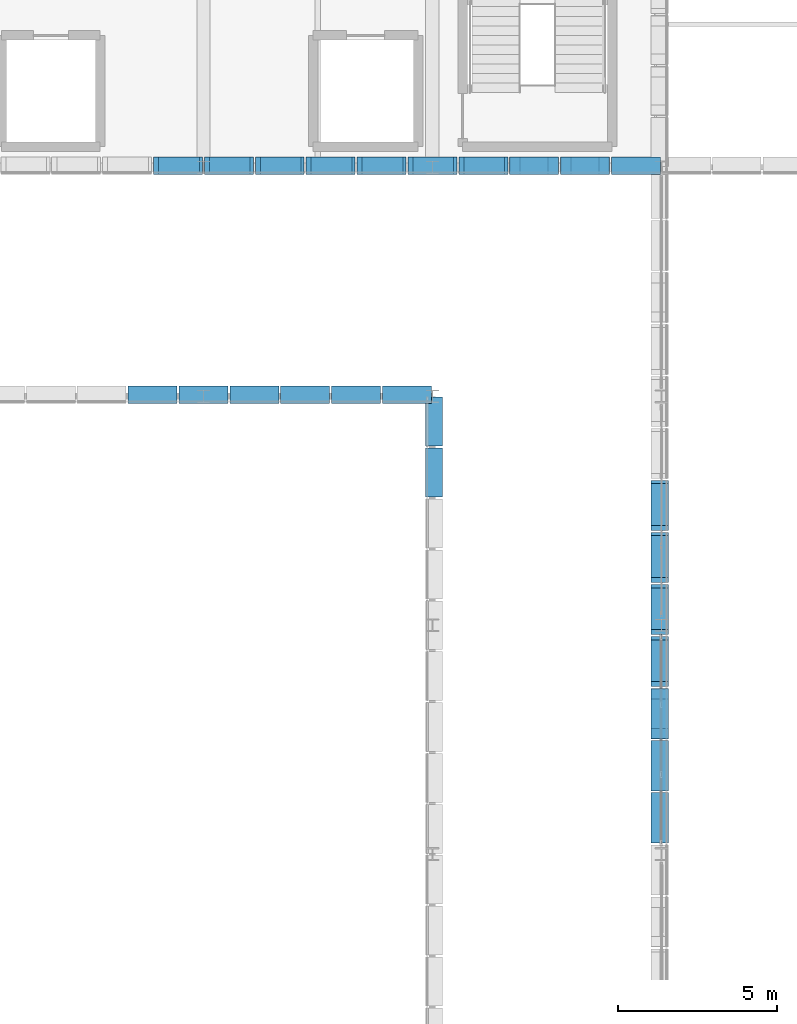
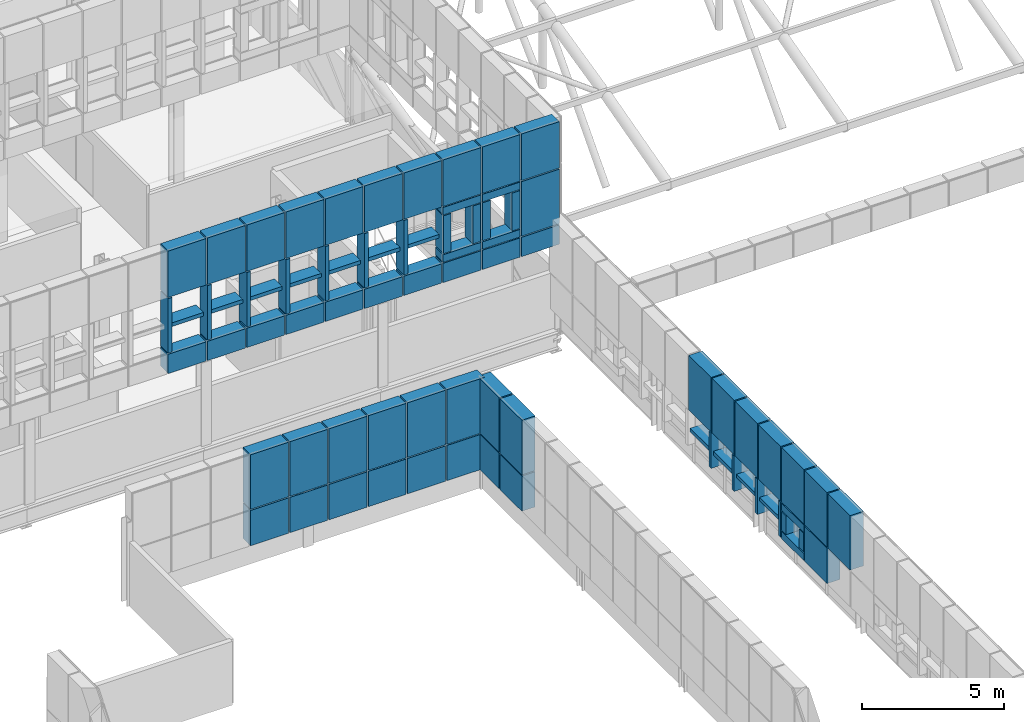
# One storey, part 67 of 96: 79 discrete accessories.
"""IFC4 building model written with IfcOpenShell, lengths in metres."""

from ifc_helpers import new_model, si_unit, direction, frame, origin, origin_2d, place, context, subcontext, project, spatial, rectangle, extrude, material, type_object, element, save


model = new_model("IFC4")

# Units and contexts
model_context = context("Model", 3, precision=1e-05, world=origin(), true_north=direction((0.0, 1.0)))
body_context = subcontext(model_context, "Body", "Model", "MODEL_VIEW")
ifc_project = project(units=[si_unit("LENGTHUNIT", "METRE"), si_unit("AREAUNIT", "SQUARE_METRE"), si_unit("VOLUMEUNIT", "CUBIC_METRE"), si_unit("PLANEANGLEUNIT", "RADIAN"), si_unit("MASSUNIT", "GRAM", prefix="KILO")], contexts=[model_context])

# Site, building, storey
site_placement = place(None, origin())
site = spatial("IfcSite", under=ifc_project, at=site_placement, CompositionType="ELEMENT")
building_placement = place(site_placement, origin())
building = spatial("IfcBuilding", under=site, at=building_placement, Name="Yarey Park Central Fire Station", CompositionType="ELEMENT")
storey_placement = place(building_placement, frame((0.0, 0.0, 14.39990234375)))
storey = spatial("IfcBuildingStorey", under=building, at=storey_placement, Name="L04", CompositionType="ELEMENT", Elevation=14.39990234375)

# Discrete accessories
ifc_material = material(Name="Stainless Steel AISI 316L", Category="steel")
discrete_accessory_type = type_object("IfcDiscreteAccessoryType", Name="ENV_BRK_SS1", PredefinedType="BRACKET", material=ifc_material)
discrete_accessory_1_placement = place(storey_placement, frame((57.550048828125, 37.1455078125, 2.445068359375), z_axis=(0.0, 0.0, 1.0), x_axis=(1.0, 0.0, 0.0)))
element("IfcDiscreteAccessory", 1, at=discrete_accessory_1_placement, inside=storey, type_object=discrete_accessory_type, Name="BRK_PERF_L04_0379", PredefinedType="BRACKET", context=body_context, shape_type="SweptSolid", body=[
    extrude(rectangle(XDim=0.5400390625, YDim=1.576416015625, at=origin_2d()), origin(), (0.0, 0.0, 1.0), 2.35009765625),
])
discrete_accessory_2_placement = place(storey_placement, frame((57.550048828125, 38.78173828125, 0.875), z_axis=(0.0, 0.0, 1.0), x_axis=(1.0, 0.0, 0.0)))
element("IfcDiscreteAccessory", 2, at=discrete_accessory_2_placement, inside=storey, type_object=discrete_accessory_type, Name="BRK_PERF_L04_0383", PredefinedType="BRACKET", context=body_context, shape_type="SweptSolid", body=[
    extrude(rectangle(XDim=0.5400390625, YDim=1.576416015625, at=origin_2d()), origin(), (0.0, 0.0, 1.0), 1.52001953125),
])
discrete_accessory_3_placement = place(storey_placement, frame((57.550048828125, 38.78173828125, 2.445068359375), z_axis=(0.0, 0.0, 1.0), x_axis=(1.0, 0.0, 0.0)))
element("IfcDiscreteAccessory", 3, at=discrete_accessory_3_placement, inside=storey, type_object=discrete_accessory_type, Name="BRK_PERF_L04_0384", PredefinedType="BRACKET", context=body_context, shape_type="SweptSolid", body=[
    extrude(rectangle(XDim=0.5400390625, YDim=1.576416015625, at=origin_2d()), origin(), (0.0, 0.0, 1.0), 2.35009765625),
])
for number, where, z_axis, x_axis, name in (
    (4, (57.550048828125, 40.418212890625, 0.8701171875), (0.0, 0.0, 1.0), (1.0, 0.0, 0.0), "BRK_PERF_L04_0391"),
    (5, (57.550048828125, 40.418212890625, 2.080078125), (0.0, 0.0, 1.0), (1.0, 0.0, 0.0), "BRK_PERF_L04_0392"),
):
    element("IfcDiscreteAccessory", number, at=place(storey_placement, frame(where, z_axis=z_axis, x_axis=x_axis)), inside=storey, type_object=discrete_accessory_type, Name=name, PredefinedType="BRACKET", context=body_context, shape_type="SweptSolid", body=[
        extrude(rectangle(XDim=0.5400390625, YDim=1.576416015625, at=origin_2d()), origin(), (0.0, 0.0, 1.0), 0.320068359375),
    ])
for number, where, z_axis, x_axis, name in (
    (6, (57.550048828125, 39.800048828125, 1.23486328125), (0.0, 0.0, 1.0), (1.0, 0.0, 0.0), "BRK_PERF_L04_0393"),
    (7, (57.550048828125, 41.036376953125, 1.23486328125), (0.0, 0.0, 1.0), (1.0, 0.0, 0.0), "BRK_PERF_L04_0394"),
):
    element("IfcDiscreteAccessory", number, at=place(storey_placement, frame(where, z_axis=z_axis, x_axis=x_axis)), inside=storey, type_object=discrete_accessory_type, Name=name, PredefinedType="BRACKET", context=body_context, shape_type="SweptSolid", body=[
        extrude(rectangle(XDim=0.5400390625, YDim=0.320068359375, at=origin_2d()), origin(), (0.0, 0.0, 1.0), 0.800048828125),
    ])
discrete_accessory_4_placement = place(storey_placement, frame((57.550048828125, 40.418212890625, 2.445068359375), z_axis=(0.0, 0.0, 1.0), x_axis=(1.0, 0.0, 0.0)))
element("IfcDiscreteAccessory", 8, at=discrete_accessory_4_placement, inside=storey, type_object=discrete_accessory_type, Name="BRK_PERF_L04_0395", PredefinedType="BRACKET", context=body_context, shape_type="SweptSolid", body=[
    extrude(rectangle(XDim=0.5400390625, YDim=1.576416015625, at=origin_2d()), origin(), (0.0, 0.0, 1.0), 2.35009765625),
])
discrete_accessory_5_placement = place(storey_placement, frame((57.550048828125, 41.34619140625, 0.875), z_axis=(0.0, 0.0, 1.0), x_axis=(1.0, 0.0, 0.0)))
element("IfcDiscreteAccessory", 9, at=discrete_accessory_5_placement, inside=storey, type_object=discrete_accessory_type, Name="BRK_PERF_L04_0400", PredefinedType="BRACKET", context=body_context, shape_type="SweptSolid", body=[
    extrude(rectangle(XDim=0.5400390625, YDim=0.159912109375, at=origin_2d()), origin(), (0.0, 0.0, 1.0), 1.52001953125),
])
discrete_accessory_6_placement = place(storey_placement, frame((57.550048828125, 42.054443359375, 1.55517578125), z_axis=(0.0, 0.0, 1.0), x_axis=(1.0, 0.0, 0.0)))
element("IfcDiscreteAccessory", 10, at=discrete_accessory_6_placement, inside=storey, type_object=discrete_accessory_type, Name="BRK_PERF_L04_0401", PredefinedType="BRACKET", context=body_context, shape_type="SweptSolid", body=[
    extrude(rectangle(XDim=0.5400390625, YDim=1.37646484375, at=origin_2d()), origin(), (0.0, 0.0, 1.0), 0.159912109375),
])
discrete_accessory_7_placement = place(storey_placement, frame((57.550048828125, 42.054443359375, 2.445068359375), z_axis=(0.0, 0.0, 1.0), x_axis=(1.0, 0.0, 0.0)))
element("IfcDiscreteAccessory", 11, at=discrete_accessory_7_placement, inside=storey, type_object=discrete_accessory_type, Name="BRK_PERF_L04_0402", PredefinedType="BRACKET", context=body_context, shape_type="SweptSolid", body=[
    extrude(rectangle(XDim=0.5400390625, YDim=1.576416015625, at=origin_2d()), origin(), (0.0, 0.0, 1.0), 2.35009765625),
])
discrete_accessory_8_placement = place(storey_placement, frame((57.550048828125, 42.982666015625, 0.875), z_axis=(0.0, 0.0, 1.0), x_axis=(1.0, 0.0, 0.0)))
element("IfcDiscreteAccessory", 12, at=discrete_accessory_8_placement, inside=storey, type_object=discrete_accessory_type, Name="BRK_PERF_L04_0407", PredefinedType="BRACKET", context=body_context, shape_type="SweptSolid", body=[
    extrude(rectangle(XDim=0.5400390625, YDim=0.159912109375, at=origin_2d()), origin(), (0.0, 0.0, 1.0), 1.52001953125),
])
discrete_accessory_9_placement = place(storey_placement, frame((57.550048828125, 43.69091796875, 1.55517578125), z_axis=(0.0, 0.0, 1.0), x_axis=(1.0, 0.0, 0.0)))
element("IfcDiscreteAccessory", 13, at=discrete_accessory_9_placement, inside=storey, type_object=discrete_accessory_type, Name="BRK_PERF_L04_0408", PredefinedType="BRACKET", context=body_context, shape_type="SweptSolid", body=[
    extrude(rectangle(XDim=0.5400390625, YDim=1.37646484375, at=origin_2d()), origin(), (0.0, 0.0, 1.0), 0.159912109375),
])
discrete_accessory_10_placement = place(storey_placement, frame((57.550048828125, 43.69091796875, 2.445068359375), z_axis=(0.0, 0.0, 1.0), x_axis=(1.0, 0.0, 0.0)))
element("IfcDiscreteAccessory", 14, at=discrete_accessory_10_placement, inside=storey, type_object=discrete_accessory_type, Name="BRK_PERF_L04_0409", PredefinedType="BRACKET", context=body_context, shape_type="SweptSolid", body=[
    extrude(rectangle(XDim=0.5400390625, YDim=1.576416015625, at=origin_2d()), origin(), (0.0, 0.0, 1.0), 2.35009765625),
])
discrete_accessory_11_placement = place(storey_placement, frame((57.550048828125, 44.619140625, 0.875), z_axis=(0.0, 0.0, 1.0), x_axis=(1.0, 0.0, 0.0)))
element("IfcDiscreteAccessory", 15, at=discrete_accessory_11_placement, inside=storey, type_object=discrete_accessory_type, Name="BRK_PERF_L04_0414", PredefinedType="BRACKET", context=body_context, shape_type="SweptSolid", body=[
    extrude(rectangle(XDim=0.5400390625, YDim=0.159912109375, at=origin_2d()), origin(), (0.0, 0.0, 1.0), 1.52001953125),
])
discrete_accessory_12_placement = place(storey_placement, frame((57.550048828125, 45.327392578125, 1.55517578125), z_axis=(0.0, 0.0, 1.0), x_axis=(1.0, 0.0, 0.0)))
element("IfcDiscreteAccessory", 16, at=discrete_accessory_12_placement, inside=storey, type_object=discrete_accessory_type, Name="BRK_PERF_L04_0415", PredefinedType="BRACKET", context=body_context, shape_type="SweptSolid", body=[
    extrude(rectangle(XDim=0.5400390625, YDim=1.37646484375, at=origin_2d()), origin(), (0.0, 0.0, 1.0), 0.159912109375),
])
discrete_accessory_13_placement = place(storey_placement, frame((57.550048828125, 45.327392578125, 2.445068359375), z_axis=(0.0, 0.0, 1.0), x_axis=(1.0, 0.0, 0.0)))
element("IfcDiscreteAccessory", 17, at=discrete_accessory_13_placement, inside=storey, type_object=discrete_accessory_type, Name="BRK_PERF_L04_0416", PredefinedType="BRACKET", context=body_context, shape_type="SweptSolid", body=[
    extrude(rectangle(XDim=0.5400390625, YDim=1.576416015625, at=origin_2d()), origin(), (0.0, 0.0, 1.0), 2.35009765625),
])
discrete_accessory_14_placement = place(storey_placement, frame((57.550048828125, 46.25537109375, 0.875), z_axis=(0.0, 0.0, 1.0), x_axis=(1.0, 0.0, 0.0)))
element("IfcDiscreteAccessory", 18, at=discrete_accessory_14_placement, inside=storey, type_object=discrete_accessory_type, Name="BRK_PERF_L04_0421", PredefinedType="BRACKET", context=body_context, shape_type="SweptSolid", body=[
    extrude(rectangle(XDim=0.5400390625, YDim=0.159912109375, at=origin_2d()), origin(), (0.0, 0.0, 1.0), 1.52001953125),
])
discrete_accessory_15_placement = place(storey_placement, frame((57.550048828125, 46.963623046875, 1.55517578125), z_axis=(0.0, 0.0, 1.0), x_axis=(1.0, 0.0, 0.0)))
element("IfcDiscreteAccessory", 19, at=discrete_accessory_15_placement, inside=storey, type_object=discrete_accessory_type, Name="BRK_PERF_L04_0422", PredefinedType="BRACKET", context=body_context, shape_type="SweptSolid", body=[
    extrude(rectangle(XDim=0.5400390625, YDim=1.37646484375, at=origin_2d()), origin(), (0.0, 0.0, 1.0), 0.159912109375),
])
discrete_accessory_16_placement = place(storey_placement, frame((57.550048828125, 46.963623046875, 2.445068359375), z_axis=(0.0, 0.0, 1.0), x_axis=(1.0, 0.0, 0.0)))
element("IfcDiscreteAccessory", 20, at=discrete_accessory_16_placement, inside=storey, type_object=discrete_accessory_type, Name="BRK_PERF_L04_0423", PredefinedType="BRACKET", context=body_context, shape_type="SweptSolid", body=[
    extrude(rectangle(XDim=0.5400390625, YDim=1.576416015625, at=origin_2d()), origin(), (0.0, 0.0, 1.0), 2.35009765625),
])
discrete_accessory_17_placement = place(storey_placement, frame((50.449951171875, 48.0, 0.875), z_axis=(0.0, 0.0, 1.0), x_axis=(1.0, 0.0, 0.0)))
element("IfcDiscreteAccessory", 21, at=discrete_accessory_17_placement, inside=storey, type_object=discrete_accessory_type, Name="BRK_PERF_L04_1070", PredefinedType="BRACKET", context=body_context, shape_type="SweptSolid", body=[
    extrude(rectangle(XDim=0.5400390625, YDim=1.5400390625, at=origin_2d()), origin(), (0.0, 0.0, 1.0), 1.52001953125),
])
discrete_accessory_18_placement = place(storey_placement, frame((50.449951171875, 48.0, 2.445068359375), z_axis=(0.0, 0.0, 1.0), x_axis=(1.0, 0.0, 0.0)))
element("IfcDiscreteAccessory", 22, at=discrete_accessory_18_placement, inside=storey, type_object=discrete_accessory_type, Name="BRK_PERF_L04_1071", PredefinedType="BRACKET", context=body_context, shape_type="SweptSolid", body=[
    extrude(rectangle(XDim=0.5400390625, YDim=1.5400390625, at=origin_2d()), origin(), (0.0, 0.0, 1.0), 2.35009765625),
])
discrete_accessory_19_placement = place(storey_placement, frame((50.449951171875, 49.60009765625, 0.875), z_axis=(0.0, 0.0, 1.0), x_axis=(1.0, 0.0, 0.0)))
element("IfcDiscreteAccessory", 23, at=discrete_accessory_19_placement, inside=storey, type_object=discrete_accessory_type, Name="BRK_PERF_L04_1075", PredefinedType="BRACKET", context=body_context, shape_type="SweptSolid", body=[
    extrude(rectangle(XDim=0.5400390625, YDim=1.5400390625, at=origin_2d()), origin(), (0.0, 0.0, 1.0), 1.52001953125),
])
discrete_accessory_20_placement = place(storey_placement, frame((50.449951171875, 49.60009765625, 2.445068359375), z_axis=(0.0, 0.0, 1.0), x_axis=(1.0, 0.0, 0.0)))
element("IfcDiscreteAccessory", 24, at=discrete_accessory_20_placement, inside=storey, type_object=discrete_accessory_type, Name="BRK_PERF_L04_1076", PredefinedType="BRACKET", context=body_context, shape_type="SweptSolid", body=[
    extrude(rectangle(XDim=0.5400390625, YDim=1.5400390625, at=origin_2d()), origin(), (0.0, 0.0, 1.0), 2.35009765625),
])
discrete_accessory_21_placement = place(storey_placement, frame((41.60009765625, 50.449951171875, 0.875), z_axis=(0.0, 0.0, 1.0), x_axis=(1.0, 0.0, 0.0)))
element("IfcDiscreteAccessory", 25, at=discrete_accessory_21_placement, inside=storey, type_object=discrete_accessory_type, Name="BRK_PERF_L04_1095", PredefinedType="BRACKET", context=body_context, shape_type="SweptSolid", body=[
    extrude(rectangle(XDim=1.5400390625, YDim=0.5400390625, at=origin_2d()), origin(), (0.0, 0.0, 1.0), 1.52001953125),
])
discrete_accessory_22_placement = place(storey_placement, frame((41.60009765625, 50.449951171875, 2.445068359375), z_axis=(0.0, 0.0, 1.0), x_axis=(1.0, 0.0, 0.0)))
element("IfcDiscreteAccessory", 26, at=discrete_accessory_22_placement, inside=storey, type_object=discrete_accessory_type, Name="BRK_PERF_L04_1096", PredefinedType="BRACKET", context=body_context, shape_type="SweptSolid", body=[
    extrude(rectangle(XDim=1.5400390625, YDim=0.5400390625, at=origin_2d()), origin(), (0.0, 0.0, 1.0), 2.35009765625),
])
discrete_accessory_23_placement = place(storey_placement, frame((43.199951171875, 50.449951171875, 0.875), z_axis=(0.0, 0.0, 1.0), x_axis=(1.0, 0.0, 0.0)))
element("IfcDiscreteAccessory", 27, at=discrete_accessory_23_placement, inside=storey, type_object=discrete_accessory_type, Name="BRK_PERF_L04_1100", PredefinedType="BRACKET", context=body_context, shape_type="SweptSolid", body=[
    extrude(rectangle(XDim=1.5400390625, YDim=0.5400390625, at=origin_2d()), origin(), (0.0, 0.0, 1.0), 1.52001953125),
])
discrete_accessory_24_placement = place(storey_placement, frame((43.199951171875, 50.449951171875, 2.445068359375), z_axis=(0.0, 0.0, 1.0), x_axis=(1.0, 0.0, 0.0)))
element("IfcDiscreteAccessory", 28, at=discrete_accessory_24_placement, inside=storey, type_object=discrete_accessory_type, Name="BRK_PERF_L04_1101", PredefinedType="BRACKET", context=body_context, shape_type="SweptSolid", body=[
    extrude(rectangle(XDim=1.5400390625, YDim=0.5400390625, at=origin_2d()), origin(), (0.0, 0.0, 1.0), 2.35009765625),
])
discrete_accessory_25_placement = place(storey_placement, frame((44.800048828125, 50.449951171875, 0.875), z_axis=(0.0, 0.0, 1.0), x_axis=(1.0, 0.0, 0.0)))
element("IfcDiscreteAccessory", 29, at=discrete_accessory_25_placement, inside=storey, type_object=discrete_accessory_type, Name="BRK_PERF_L04_1105", PredefinedType="BRACKET", context=body_context, shape_type="SweptSolid", body=[
    extrude(rectangle(XDim=1.5400390625, YDim=0.5400390625, at=origin_2d()), origin(), (0.0, 0.0, 1.0), 1.52001953125),
])
discrete_accessory_26_placement = place(storey_placement, frame((44.800048828125, 50.449951171875, 2.445068359375), z_axis=(0.0, 0.0, 1.0), x_axis=(1.0, 0.0, 0.0)))
element("IfcDiscreteAccessory", 30, at=discrete_accessory_26_placement, inside=storey, type_object=discrete_accessory_type, Name="BRK_PERF_L04_1106", PredefinedType="BRACKET", context=body_context, shape_type="SweptSolid", body=[
    extrude(rectangle(XDim=1.5400390625, YDim=0.5400390625, at=origin_2d()), origin(), (0.0, 0.0, 1.0), 2.35009765625),
])
discrete_accessory_27_placement = place(storey_placement, frame((46.39990234375, 50.449951171875, 0.875), z_axis=(0.0, 0.0, 1.0), x_axis=(1.0, 0.0, 0.0)))
element("IfcDiscreteAccessory", 31, at=discrete_accessory_27_placement, inside=storey, type_object=discrete_accessory_type, Name="BRK_PERF_L04_1110", PredefinedType="BRACKET", context=body_context, shape_type="SweptSolid", body=[
    extrude(rectangle(XDim=1.5400390625, YDim=0.5400390625, at=origin_2d()), origin(), (0.0, 0.0, 1.0), 1.52001953125),
])
discrete_accessory_28_placement = place(storey_placement, frame((46.39990234375, 50.449951171875, 2.445068359375), z_axis=(0.0, 0.0, 1.0), x_axis=(1.0, 0.0, 0.0)))
element("IfcDiscreteAccessory", 32, at=discrete_accessory_28_placement, inside=storey, type_object=discrete_accessory_type, Name="BRK_PERF_L04_1111", PredefinedType="BRACKET", context=body_context, shape_type="SweptSolid", body=[
    extrude(rectangle(XDim=1.5400390625, YDim=0.5400390625, at=origin_2d()), origin(), (0.0, 0.0, 1.0), 2.35009765625),
])
discrete_accessory_29_placement = place(storey_placement, frame((48.0, 50.449951171875, 0.875), z_axis=(0.0, 0.0, 1.0), x_axis=(1.0, 0.0, 0.0)))
element("IfcDiscreteAccessory", 33, at=discrete_accessory_29_placement, inside=storey, type_object=discrete_accessory_type, Name="BRK_PERF_L04_1115", PredefinedType="BRACKET", context=body_context, shape_type="SweptSolid", body=[
    extrude(rectangle(XDim=1.5400390625, YDim=0.5400390625, at=origin_2d()), origin(), (0.0, 0.0, 1.0), 1.52001953125),
])
discrete_accessory_30_placement = place(storey_placement, frame((48.0, 50.449951171875, 2.445068359375), z_axis=(0.0, 0.0, 1.0), x_axis=(1.0, 0.0, 0.0)))
element("IfcDiscreteAccessory", 34, at=discrete_accessory_30_placement, inside=storey, type_object=discrete_accessory_type, Name="BRK_PERF_L04_1116", PredefinedType="BRACKET", context=body_context, shape_type="SweptSolid", body=[
    extrude(rectangle(XDim=1.5400390625, YDim=0.5400390625, at=origin_2d()), origin(), (0.0, 0.0, 1.0), 2.35009765625),
])
discrete_accessory_31_placement = place(storey_placement, frame((49.60009765625, 50.449951171875, 0.875), z_axis=(0.0, 0.0, 1.0), x_axis=(1.0, 0.0, 0.0)))
element("IfcDiscreteAccessory", 35, at=discrete_accessory_31_placement, inside=storey, type_object=discrete_accessory_type, Name="BRK_PERF_L04_1120", PredefinedType="BRACKET", context=body_context, shape_type="SweptSolid", body=[
    extrude(rectangle(XDim=1.5400390625, YDim=0.5400390625, at=origin_2d()), origin(), (0.0, 0.0, 1.0), 1.52001953125),
])
discrete_accessory_32_placement = place(storey_placement, frame((49.60009765625, 50.449951171875, 2.445068359375), z_axis=(0.0, 0.0, 1.0), x_axis=(1.0, 0.0, 0.0)))
element("IfcDiscreteAccessory", 36, at=discrete_accessory_32_placement, inside=storey, type_object=discrete_accessory_type, Name="BRK_PERF_L04_1121", PredefinedType="BRACKET", context=body_context, shape_type="SweptSolid", body=[
    extrude(rectangle(XDim=1.5400390625, YDim=0.5400390625, at=origin_2d()), origin(), (0.0, 0.0, 1.0), 2.35009765625),
])
discrete_accessory_33_placement = place(storey_placement, frame((42.39990234375, 57.64990234375, 3.64501953125), z_axis=(0.0, 0.0, 1.0), x_axis=(1.0, 0.0, 0.0)))
element("IfcDiscreteAccessory", 37, at=discrete_accessory_33_placement, inside=storey, type_object=discrete_accessory_type, Name="BRK_PERF_L04_1157", PredefinedType="BRACKET", context=body_context, shape_type="SweptSolid", body=[
    extrude(rectangle(XDim=1.5400390625, YDim=0.5400390625, at=origin_2d()), origin(), (0.0, 0.0, 1.0), 0.830078125),
])
discrete_accessory_34_placement = place(storey_placement, frame((41.7099609375, 57.64990234375, 4.525146484375), z_axis=(0.0, 0.0, 1.0), x_axis=(1.0, 0.0, 0.0)))
element("IfcDiscreteAccessory", 38, at=discrete_accessory_34_placement, inside=storey, type_object=discrete_accessory_type, Name="BRK_PERF_L04_1158", PredefinedType="BRACKET", context=body_context, shape_type="SweptSolid", body=[
    extrude(rectangle(XDim=0.159912109375, YDim=0.5400390625, at=origin_2d()), origin(), (0.0, 0.0, 1.0), 2.35009765625),
])
discrete_accessory_35_placement = place(storey_placement, frame((42.39990234375, 57.64990234375, 5.6201171875), z_axis=(0.0, 0.0, 1.0), x_axis=(1.0, 0.0, 0.0)))
element("IfcDiscreteAccessory", 39, at=discrete_accessory_35_placement, inside=storey, type_object=discrete_accessory_type, Name="BRK_PERF_L04_1159", PredefinedType="BRACKET", context=body_context, shape_type="SweptSolid", body=[
    extrude(rectangle(XDim=1.340087890625, YDim=0.5400390625, at=origin_2d()), origin(), (0.0, 0.0, 1.0), 0.159912109375),
])
discrete_accessory_36_placement = place(storey_placement, frame((42.39990234375, 57.64990234375, 6.925048828125), z_axis=(0.0, 0.0, 1.0), x_axis=(1.0, 0.0, 0.0)))
element("IfcDiscreteAccessory", 40, at=discrete_accessory_36_placement, inside=storey, type_object=discrete_accessory_type, Name="BRK_PERF_L04_1160", PredefinedType="BRACKET", context=body_context, shape_type="SweptSolid", body=[
    extrude(rectangle(XDim=1.5400390625, YDim=0.5400390625, at=origin_2d()), origin(), (0.0, 0.0, 1.0), 2.0),
])
discrete_accessory_37_placement = place(storey_placement, frame((44.0, 57.64990234375, 3.64501953125), z_axis=(0.0, 0.0, 1.0), x_axis=(1.0, 0.0, 0.0)))
element("IfcDiscreteAccessory", 41, at=discrete_accessory_37_placement, inside=storey, type_object=discrete_accessory_type, Name="BRK_PERF_L04_1161", PredefinedType="BRACKET", context=body_context, shape_type="SweptSolid", body=[
    extrude(rectangle(XDim=1.5400390625, YDim=0.5400390625, at=origin_2d()), origin(), (0.0, 0.0, 1.0), 0.830078125),
])
discrete_accessory_38_placement = place(storey_placement, frame((43.31005859375, 57.64990234375, 4.525146484375), z_axis=(0.0, 0.0, 1.0), x_axis=(1.0, 0.0, 0.0)))
element("IfcDiscreteAccessory", 42, at=discrete_accessory_38_placement, inside=storey, type_object=discrete_accessory_type, Name="BRK_PERF_L04_1162", PredefinedType="BRACKET", context=body_context, shape_type="SweptSolid", body=[
    extrude(rectangle(XDim=0.159912109375, YDim=0.5400390625, at=origin_2d()), origin(), (0.0, 0.0, 1.0), 2.35009765625),
])
discrete_accessory_39_placement = place(storey_placement, frame((44.0, 57.64990234375, 5.6201171875), z_axis=(0.0, 0.0, 1.0), x_axis=(1.0, 0.0, 0.0)))
element("IfcDiscreteAccessory", 43, at=discrete_accessory_39_placement, inside=storey, type_object=discrete_accessory_type, Name="BRK_PERF_L04_1163", PredefinedType="BRACKET", context=body_context, shape_type="SweptSolid", body=[
    extrude(rectangle(XDim=1.340087890625, YDim=0.5400390625, at=origin_2d()), origin(), (0.0, 0.0, 1.0), 0.159912109375),
])
discrete_accessory_40_placement = place(storey_placement, frame((44.0, 57.64990234375, 6.925048828125), z_axis=(0.0, 0.0, 1.0), x_axis=(1.0, 0.0, 0.0)))
element("IfcDiscreteAccessory", 44, at=discrete_accessory_40_placement, inside=storey, type_object=discrete_accessory_type, Name="BRK_PERF_L04_1164", PredefinedType="BRACKET", context=body_context, shape_type="SweptSolid", body=[
    extrude(rectangle(XDim=1.5400390625, YDim=0.5400390625, at=origin_2d()), origin(), (0.0, 0.0, 1.0), 2.0),
])
discrete_accessory_41_placement = place(storey_placement, frame((45.60009765625, 57.64990234375, 3.64501953125), z_axis=(0.0, 0.0, 1.0), x_axis=(1.0, 0.0, 0.0)))
element("IfcDiscreteAccessory", 45, at=discrete_accessory_41_placement, inside=storey, type_object=discrete_accessory_type, Name="BRK_PERF_L04_1165", PredefinedType="BRACKET", context=body_context, shape_type="SweptSolid", body=[
    extrude(rectangle(XDim=1.5400390625, YDim=0.5400390625, at=origin_2d()), origin(), (0.0, 0.0, 1.0), 0.830078125),
])
discrete_accessory_42_placement = place(storey_placement, frame((44.909912109375, 57.64990234375, 4.525146484375), z_axis=(0.0, 0.0, 1.0), x_axis=(1.0, 0.0, 0.0)))
element("IfcDiscreteAccessory", 46, at=discrete_accessory_42_placement, inside=storey, type_object=discrete_accessory_type, Name="BRK_PERF_L04_1166", PredefinedType="BRACKET", context=body_context, shape_type="SweptSolid", body=[
    extrude(rectangle(XDim=0.159912109375, YDim=0.5400390625, at=origin_2d()), origin(), (0.0, 0.0, 1.0), 2.35009765625),
])
discrete_accessory_43_placement = place(storey_placement, frame((45.60009765625, 57.64990234375, 5.6201171875), z_axis=(0.0, 0.0, 1.0), x_axis=(1.0, 0.0, 0.0)))
element("IfcDiscreteAccessory", 47, at=discrete_accessory_43_placement, inside=storey, type_object=discrete_accessory_type, Name="BRK_PERF_L04_1167", PredefinedType="BRACKET", context=body_context, shape_type="SweptSolid", body=[
    extrude(rectangle(XDim=1.340087890625, YDim=0.5400390625, at=origin_2d()), origin(), (0.0, 0.0, 1.0), 0.159912109375),
])
discrete_accessory_44_placement = place(storey_placement, frame((45.60009765625, 57.64990234375, 6.925048828125), z_axis=(0.0, 0.0, 1.0), x_axis=(1.0, 0.0, 0.0)))
element("IfcDiscreteAccessory", 48, at=discrete_accessory_44_placement, inside=storey, type_object=discrete_accessory_type, Name="BRK_PERF_L04_1168", PredefinedType="BRACKET", context=body_context, shape_type="SweptSolid", body=[
    extrude(rectangle(XDim=1.5400390625, YDim=0.5400390625, at=origin_2d()), origin(), (0.0, 0.0, 1.0), 2.0),
])
discrete_accessory_45_placement = place(storey_placement, frame((47.199951171875, 57.64990234375, 3.64501953125), z_axis=(0.0, 0.0, 1.0), x_axis=(1.0, 0.0, 0.0)))
element("IfcDiscreteAccessory", 49, at=discrete_accessory_45_placement, inside=storey, type_object=discrete_accessory_type, Name="BRK_PERF_L04_1169", PredefinedType="BRACKET", context=body_context, shape_type="SweptSolid", body=[
    extrude(rectangle(XDim=1.5400390625, YDim=0.5400390625, at=origin_2d()), origin(), (0.0, 0.0, 1.0), 0.830078125),
])
discrete_accessory_46_placement = place(storey_placement, frame((46.510009765625, 57.64990234375, 4.525146484375), z_axis=(0.0, 0.0, 1.0), x_axis=(1.0, 0.0, 0.0)))
element("IfcDiscreteAccessory", 50, at=discrete_accessory_46_placement, inside=storey, type_object=discrete_accessory_type, Name="BRK_PERF_L04_1170", PredefinedType="BRACKET", context=body_context, shape_type="SweptSolid", body=[
    extrude(rectangle(XDim=0.159912109375, YDim=0.5400390625, at=origin_2d()), origin(), (0.0, 0.0, 1.0), 2.35009765625),
])
discrete_accessory_47_placement = place(storey_placement, frame((47.199951171875, 57.64990234375, 5.6201171875), z_axis=(0.0, 0.0, 1.0), x_axis=(1.0, 0.0, 0.0)))
element("IfcDiscreteAccessory", 51, at=discrete_accessory_47_placement, inside=storey, type_object=discrete_accessory_type, Name="BRK_PERF_L04_1171", PredefinedType="BRACKET", context=body_context, shape_type="SweptSolid", body=[
    extrude(rectangle(XDim=1.340087890625, YDim=0.5400390625, at=origin_2d()), origin(), (0.0, 0.0, 1.0), 0.159912109375),
])
discrete_accessory_48_placement = place(storey_placement, frame((47.199951171875, 57.64990234375, 6.925048828125), z_axis=(0.0, 0.0, 1.0), x_axis=(1.0, 0.0, 0.0)))
element("IfcDiscreteAccessory", 52, at=discrete_accessory_48_placement, inside=storey, type_object=discrete_accessory_type, Name="BRK_PERF_L04_1172", PredefinedType="BRACKET", context=body_context, shape_type="SweptSolid", body=[
    extrude(rectangle(XDim=1.5400390625, YDim=0.5400390625, at=origin_2d()), origin(), (0.0, 0.0, 1.0), 2.0),
])
discrete_accessory_49_placement = place(storey_placement, frame((48.800048828125, 57.64990234375, 3.64501953125), z_axis=(0.0, 0.0, 1.0), x_axis=(1.0, 0.0, 0.0)))
element("IfcDiscreteAccessory", 53, at=discrete_accessory_49_placement, inside=storey, type_object=discrete_accessory_type, Name="BRK_PERF_L04_1173", PredefinedType="BRACKET", context=body_context, shape_type="SweptSolid", body=[
    extrude(rectangle(XDim=1.5400390625, YDim=0.5400390625, at=origin_2d()), origin(), (0.0, 0.0, 1.0), 0.830078125),
])
discrete_accessory_50_placement = place(storey_placement, frame((48.110107421875, 57.64990234375, 4.525146484375), z_axis=(0.0, 0.0, 1.0), x_axis=(1.0, 0.0, 0.0)))
element("IfcDiscreteAccessory", 54, at=discrete_accessory_50_placement, inside=storey, type_object=discrete_accessory_type, Name="BRK_PERF_L04_1174", PredefinedType="BRACKET", context=body_context, shape_type="SweptSolid", body=[
    extrude(rectangle(XDim=0.159912109375, YDim=0.5400390625, at=origin_2d()), origin(), (0.0, 0.0, 1.0), 2.35009765625),
])
discrete_accessory_51_placement = place(storey_placement, frame((48.800048828125, 57.64990234375, 5.6201171875), z_axis=(0.0, 0.0, 1.0), x_axis=(1.0, 0.0, 0.0)))
element("IfcDiscreteAccessory", 55, at=discrete_accessory_51_placement, inside=storey, type_object=discrete_accessory_type, Name="BRK_PERF_L04_1175", PredefinedType="BRACKET", context=body_context, shape_type="SweptSolid", body=[
    extrude(rectangle(XDim=1.340087890625, YDim=0.5400390625, at=origin_2d()), origin(), (0.0, 0.0, 1.0), 0.159912109375),
])
discrete_accessory_52_placement = place(storey_placement, frame((48.800048828125, 57.64990234375, 6.925048828125), z_axis=(0.0, 0.0, 1.0), x_axis=(1.0, 0.0, 0.0)))
element("IfcDiscreteAccessory", 56, at=discrete_accessory_52_placement, inside=storey, type_object=discrete_accessory_type, Name="BRK_PERF_L04_1176", PredefinedType="BRACKET", context=body_context, shape_type="SweptSolid", body=[
    extrude(rectangle(XDim=1.5400390625, YDim=0.5400390625, at=origin_2d()), origin(), (0.0, 0.0, 1.0), 2.0),
])
discrete_accessory_53_placement = place(storey_placement, frame((50.39990234375, 57.64990234375, 3.64501953125), z_axis=(0.0, 0.0, 1.0), x_axis=(1.0, 0.0, 0.0)))
element("IfcDiscreteAccessory", 57, at=discrete_accessory_53_placement, inside=storey, type_object=discrete_accessory_type, Name="BRK_PERF_L04_1177", PredefinedType="BRACKET", context=body_context, shape_type="SweptSolid", body=[
    extrude(rectangle(XDim=1.5400390625, YDim=0.5400390625, at=origin_2d()), origin(), (0.0, 0.0, 1.0), 0.830078125),
])
discrete_accessory_54_placement = place(storey_placement, frame((49.7099609375, 57.64990234375, 4.525146484375), z_axis=(0.0, 0.0, 1.0), x_axis=(1.0, 0.0, 0.0)))
element("IfcDiscreteAccessory", 58, at=discrete_accessory_54_placement, inside=storey, type_object=discrete_accessory_type, Name="BRK_PERF_L04_1178", PredefinedType="BRACKET", context=body_context, shape_type="SweptSolid", body=[
    extrude(rectangle(XDim=0.159912109375, YDim=0.5400390625, at=origin_2d()), origin(), (0.0, 0.0, 1.0), 2.35009765625),
])
discrete_accessory_55_placement = place(storey_placement, frame((50.39990234375, 57.64990234375, 5.6201171875), z_axis=(0.0, 0.0, 1.0), x_axis=(1.0, 0.0, 0.0)))
element("IfcDiscreteAccessory", 59, at=discrete_accessory_55_placement, inside=storey, type_object=discrete_accessory_type, Name="BRK_PERF_L04_1179", PredefinedType="BRACKET", context=body_context, shape_type="SweptSolid", body=[
    extrude(rectangle(XDim=1.340087890625, YDim=0.5400390625, at=origin_2d()), origin(), (0.0, 0.0, 1.0), 0.159912109375),
])
discrete_accessory_56_placement = place(storey_placement, frame((50.39990234375, 57.64990234375, 6.925048828125), z_axis=(0.0, 0.0, 1.0), x_axis=(1.0, 0.0, 0.0)))
element("IfcDiscreteAccessory", 60, at=discrete_accessory_56_placement, inside=storey, type_object=discrete_accessory_type, Name="BRK_PERF_L04_1180", PredefinedType="BRACKET", context=body_context, shape_type="SweptSolid", body=[
    extrude(rectangle(XDim=1.5400390625, YDim=0.5400390625, at=origin_2d()), origin(), (0.0, 0.0, 1.0), 2.0),
])
discrete_accessory_57_placement = place(storey_placement, frame((52.0, 57.64990234375, 3.64501953125), z_axis=(0.0, 0.0, 1.0), x_axis=(1.0, 0.0, 0.0)))
element("IfcDiscreteAccessory", 61, at=discrete_accessory_57_placement, inside=storey, type_object=discrete_accessory_type, Name="BRK_PERF_L04_1181", PredefinedType="BRACKET", context=body_context, shape_type="SweptSolid", body=[
    extrude(rectangle(XDim=1.5400390625, YDim=0.5400390625, at=origin_2d()), origin(), (0.0, 0.0, 1.0), 0.830078125),
])
discrete_accessory_58_placement = place(storey_placement, frame((51.31005859375, 57.64990234375, 4.525146484375), z_axis=(0.0, 0.0, 1.0), x_axis=(1.0, 0.0, 0.0)))
element("IfcDiscreteAccessory", 62, at=discrete_accessory_58_placement, inside=storey, type_object=discrete_accessory_type, Name="BRK_PERF_L04_1182", PredefinedType="BRACKET", context=body_context, shape_type="SweptSolid", body=[
    extrude(rectangle(XDim=0.159912109375, YDim=0.5400390625, at=origin_2d()), origin(), (0.0, 0.0, 1.0), 2.35009765625),
])
discrete_accessory_59_placement = place(storey_placement, frame((52.0, 57.64990234375, 5.6201171875), z_axis=(0.0, 0.0, 1.0), x_axis=(1.0, 0.0, 0.0)))
element("IfcDiscreteAccessory", 63, at=discrete_accessory_59_placement, inside=storey, type_object=discrete_accessory_type, Name="BRK_PERF_L04_1183", PredefinedType="BRACKET", context=body_context, shape_type="SweptSolid", body=[
    extrude(rectangle(XDim=1.340087890625, YDim=0.5400390625, at=origin_2d()), origin(), (0.0, 0.0, 1.0), 0.159912109375),
])
discrete_accessory_60_placement = place(storey_placement, frame((52.0, 57.64990234375, 6.925048828125), z_axis=(0.0, 0.0, 1.0), x_axis=(1.0, 0.0, 0.0)))
element("IfcDiscreteAccessory", 64, at=discrete_accessory_60_placement, inside=storey, type_object=discrete_accessory_type, Name="BRK_PERF_L04_1184", PredefinedType="BRACKET", context=body_context, shape_type="SweptSolid", body=[
    extrude(rectangle(XDim=1.5400390625, YDim=0.5400390625, at=origin_2d()), origin(), (0.0, 0.0, 1.0), 2.0),
])
discrete_accessory_61_placement = place(storey_placement, frame((53.60009765625, 57.64990234375, 3.64501953125), z_axis=(0.0, 0.0, 1.0), x_axis=(1.0, 0.0, 0.0)))
element("IfcDiscreteAccessory", 65, at=discrete_accessory_61_placement, inside=storey, type_object=discrete_accessory_type, Name="BRK_PERF_L04_1185", PredefinedType="BRACKET", context=body_context, shape_type="SweptSolid", body=[
    extrude(rectangle(XDim=1.5400390625, YDim=0.5400390625, at=origin_2d()), origin(), (0.0, 0.0, 1.0), 0.830078125),
])
for number, where, z_axis, x_axis, name in (
    (66, (53.60009765625, 57.64990234375, 4.52001953125), (0.0, 0.0, 1.0), (1.0, 0.0, 0.0), "BRK_PERF_L04_1186"),
    (67, (53.60009765625, 57.64990234375, 6.56005859375), (0.0, 0.0, 1.0), (1.0, 0.0, 0.0), "BRK_PERF_L04_1187"),
):
    element("IfcDiscreteAccessory", number, at=place(storey_placement, frame(where, z_axis=z_axis, x_axis=x_axis)), inside=storey, type_object=discrete_accessory_type, Name=name, PredefinedType="BRACKET", context=body_context, shape_type="SweptSolid", body=[
        extrude(rectangle(XDim=1.5400390625, YDim=0.5400390625, at=origin_2d()), origin(), (0.0, 0.0, 1.0), 0.320068359375),
    ])
for number, where, z_axis, x_axis, name in (
    (68, (53.0, 57.64990234375, 4.88525390625), (0.0, 0.0, 1.0), (1.0, 0.0, 0.0), "BRK_PERF_L04_1188"),
    (69, (54.199951171875, 57.64990234375, 4.88525390625), (0.0, 0.0, 1.0), (1.0, 0.0, 0.0), "BRK_PERF_L04_1189"),
):
    element("IfcDiscreteAccessory", number, at=place(storey_placement, frame(where, z_axis=z_axis, x_axis=x_axis)), inside=storey, type_object=discrete_accessory_type, Name=name, PredefinedType="BRACKET", context=body_context, shape_type="SweptSolid", body=[
        extrude(rectangle(XDim=0.320068359375, YDim=0.5400390625, at=origin_2d()), origin(), (0.0, 0.0, 1.0), 1.6298828125),
    ])
discrete_accessory_62_placement = place(storey_placement, frame((53.60009765625, 57.64990234375, 6.925048828125), z_axis=(0.0, 0.0, 1.0), x_axis=(1.0, 0.0, 0.0)))
element("IfcDiscreteAccessory", 70, at=discrete_accessory_62_placement, inside=storey, type_object=discrete_accessory_type, Name="BRK_PERF_L04_1190", PredefinedType="BRACKET", context=body_context, shape_type="SweptSolid", body=[
    extrude(rectangle(XDim=1.5400390625, YDim=0.5400390625, at=origin_2d()), origin(), (0.0, 0.0, 1.0), 2.0),
])
discrete_accessory_63_placement = place(storey_placement, frame((55.199951171875, 57.64990234375, 3.64501953125), z_axis=(0.0, 0.0, 1.0), x_axis=(1.0, 0.0, 0.0)))
element("IfcDiscreteAccessory", 71, at=discrete_accessory_63_placement, inside=storey, type_object=discrete_accessory_type, Name="BRK_PERF_L04_1191", PredefinedType="BRACKET", context=body_context, shape_type="SweptSolid", body=[
    extrude(rectangle(XDim=1.5400390625, YDim=0.5400390625, at=origin_2d()), origin(), (0.0, 0.0, 1.0), 0.830078125),
])
for number, where, z_axis, x_axis, name in (
    (72, (55.199951171875, 57.64990234375, 4.52001953125), (0.0, 0.0, 1.0), (1.0, 0.0, 0.0), "BRK_PERF_L04_1192"),
    (73, (55.199951171875, 57.64990234375, 6.56005859375), (0.0, 0.0, 1.0), (1.0, 0.0, 0.0), "BRK_PERF_L04_1193"),
):
    element("IfcDiscreteAccessory", number, at=place(storey_placement, frame(where, z_axis=z_axis, x_axis=x_axis)), inside=storey, type_object=discrete_accessory_type, Name=name, PredefinedType="BRACKET", context=body_context, shape_type="SweptSolid", body=[
        extrude(rectangle(XDim=1.5400390625, YDim=0.5400390625, at=origin_2d()), origin(), (0.0, 0.0, 1.0), 0.320068359375),
    ])
for number, where, z_axis, x_axis, name in (
    (74, (54.60009765625, 57.64990234375, 4.88525390625), (0.0, 0.0, 1.0), (1.0, 0.0, 0.0), "BRK_PERF_L04_1194"),
    (75, (55.800048828125, 57.64990234375, 4.88525390625), (0.0, 0.0, 1.0), (1.0, 0.0, 0.0), "BRK_PERF_L04_1195"),
):
    element("IfcDiscreteAccessory", number, at=place(storey_placement, frame(where, z_axis=z_axis, x_axis=x_axis)), inside=storey, type_object=discrete_accessory_type, Name=name, PredefinedType="BRACKET", context=body_context, shape_type="SweptSolid", body=[
        extrude(rectangle(XDim=0.320068359375, YDim=0.5400390625, at=origin_2d()), origin(), (0.0, 0.0, 1.0), 1.6298828125),
    ])
discrete_accessory_64_placement = place(storey_placement, frame((55.199951171875, 57.64990234375, 6.925048828125), z_axis=(0.0, 0.0, 1.0), x_axis=(1.0, 0.0, 0.0)))
element("IfcDiscreteAccessory", 76, at=discrete_accessory_64_placement, inside=storey, type_object=discrete_accessory_type, Name="BRK_PERF_L04_1196", PredefinedType="BRACKET", context=body_context, shape_type="SweptSolid", body=[
    extrude(rectangle(XDim=1.5400390625, YDim=0.5400390625, at=origin_2d()), origin(), (0.0, 0.0, 1.0), 2.0),
])
discrete_accessory_65_placement = place(storey_placement, frame((56.800048828125, 57.64990234375, 3.64501953125), z_axis=(0.0, 0.0, 1.0), x_axis=(1.0, 0.0, 0.0)))
element("IfcDiscreteAccessory", 77, at=discrete_accessory_65_placement, inside=storey, type_object=discrete_accessory_type, Name="BRK_PERF_L04_1197", PredefinedType="BRACKET", context=body_context, shape_type="SweptSolid", body=[
    extrude(rectangle(XDim=1.5400390625, YDim=0.5400390625, at=origin_2d()), origin(), (0.0, 0.0, 1.0), 0.830078125),
])
discrete_accessory_66_placement = place(storey_placement, frame((56.800048828125, 57.64990234375, 4.525146484375), z_axis=(0.0, 0.0, 1.0), x_axis=(1.0, 0.0, 0.0)))
element("IfcDiscreteAccessory", 78, at=discrete_accessory_66_placement, inside=storey, type_object=discrete_accessory_type, Name="BRK_PERF_L04_1198", PredefinedType="BRACKET", context=body_context, shape_type="SweptSolid", body=[
    extrude(rectangle(XDim=1.5400390625, YDim=0.5400390625, at=origin_2d()), origin(), (0.0, 0.0, 1.0), 2.35009765625),
])
discrete_accessory_67_placement = place(storey_placement, frame((56.800048828125, 57.64990234375, 6.925048828125), z_axis=(0.0, 0.0, 1.0), x_axis=(1.0, 0.0, 0.0)))
element("IfcDiscreteAccessory", 79, at=discrete_accessory_67_placement, inside=storey, type_object=discrete_accessory_type, Name="BRK_PERF_L04_1199", PredefinedType="BRACKET", context=body_context, shape_type="SweptSolid", body=[
    extrude(rectangle(XDim=1.5400390625, YDim=0.5400390625, at=origin_2d()), origin(), (0.0, 0.0, 1.0), 2.0),
])

save(model, "model.ifc")
